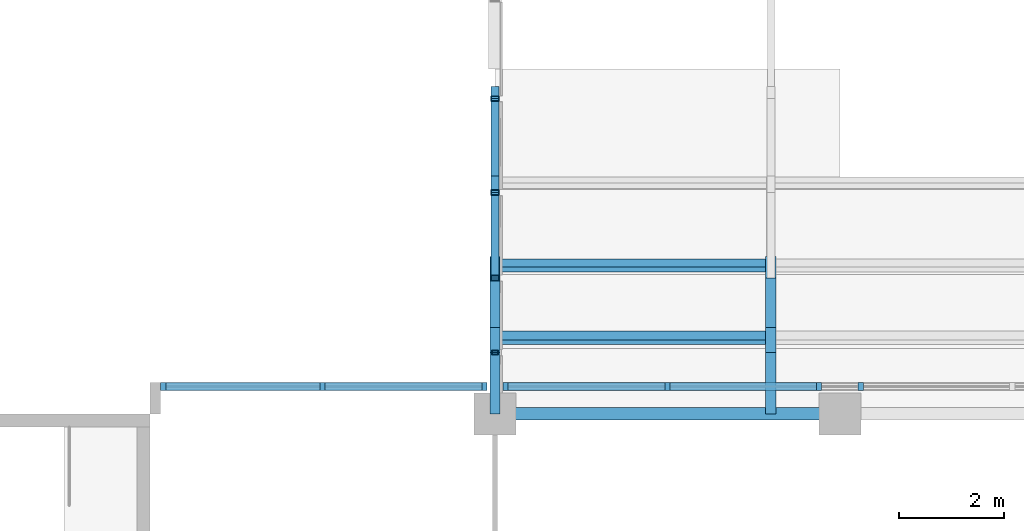
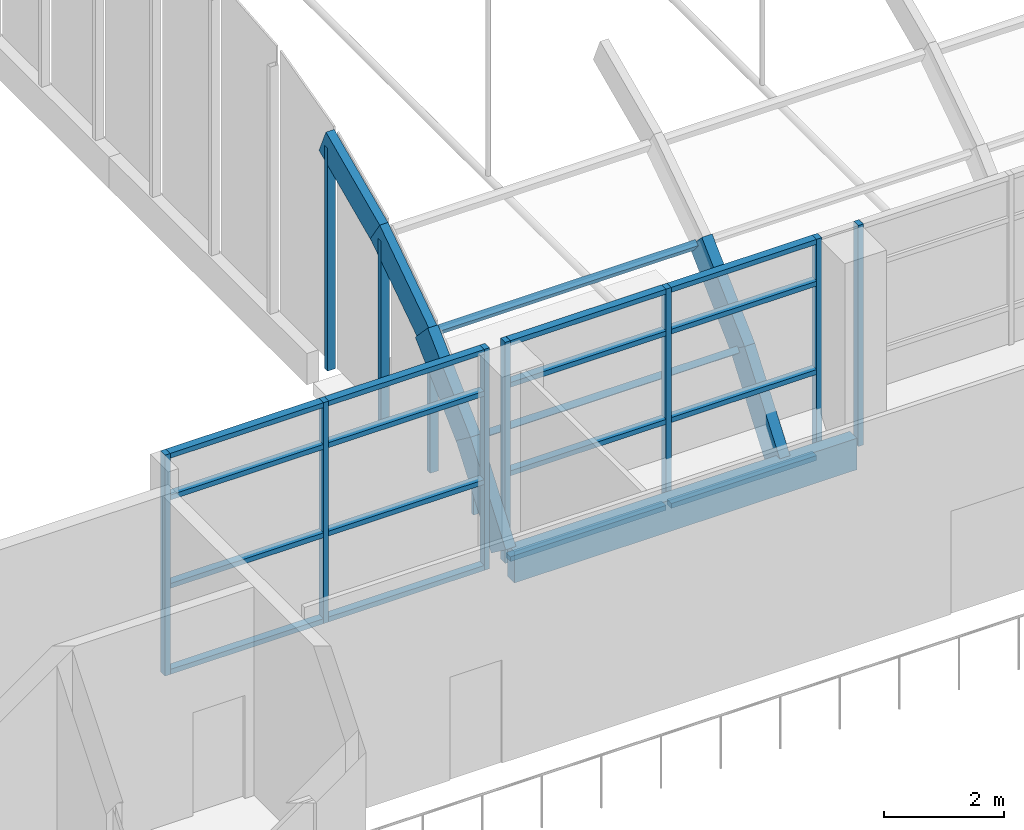
# One storey, part 16 of 102: 35 members, 1 beam, 2 elements without a shape of their own.
"""IFC4 building model written with IfcOpenShell, lengths in metres."""

from ifc_helpers import new_model, si_unit, direction, frame, origin, origin_2d, place, context, subcontext, project, spatial, rectangle, hollow_rectangle, extrude, material, material_profile, profile_set, type_object, element, aggregate, save


model = new_model("IFC4")

# Units and contexts
model_context = context("Model", 3, precision=1e-05, world=origin(), true_north=direction((0.0, 1.0)))
body_context = subcontext(model_context, "Body", "Model", "MODEL_VIEW")
ifc_project = project(units=[si_unit("LENGTHUNIT", "METRE"), si_unit("AREAUNIT", "SQUARE_METRE"), si_unit("VOLUMEUNIT", "CUBIC_METRE"), si_unit("PLANEANGLEUNIT", "RADIAN"), si_unit("MASSUNIT", "GRAM", prefix="KILO")], contexts=[model_context])

# Site, building, storey
site_placement = place(None, origin())
site = spatial("IfcSite", under=ifc_project, at=site_placement, CompositionType="ELEMENT")
building_placement = place(site_placement, origin())
building = spatial("IfcBuilding", under=site, at=building_placement, Name="Lantern Court Research Institute", CompositionType="ELEMENT")
storey_placement = place(building_placement, frame((0.0, 0.0, 9.89990234375)))
storey = spatial("IfcBuildingStorey", under=building, at=storey_placement, Name="L02", CompositionType="ELEMENT", Elevation=9.89990234375)

# Members
ifc_material_1 = material(Name="Structural steel S355", Category="steel")
ifc_material_profile_1 = material_profile(ifc_material_1, hollow_rectangle(XDim=0.1201171875, YDim=0.080078125, WallThickness=0.0048828125, at=origin_2d()), Name="Gable post RHS 120 x 80 x 5")
ifc_profile_set_1 = profile_set([ifc_material_profile_1], Name="Structural steel S355")
member_type_1 = type_object("IfcMemberType", Name="Gable post RHS 120 x 80 x 5", PredefinedType="POST", material=ifc_profile_set_1)
member_1_placement = place(storey_placement, frame((52.800048828125, 57.27734375, 0.64013671875), z_axis=(0.0, 0.0, 1.0), x_axis=(1.0, 0.0, 0.0)))
element("IfcMember", 1, at=member_1_placement, inside=storey, type_object=member_type_1, Name="Gable post", PredefinedType="POST", context=body_context, shape_type="SweptSolid", body=[
    extrude(hollow_rectangle(XDim=0.1201171875, YDim=0.080078125, WallThickness=0.0048828125, at=origin_2d()), origin(), (0.0, 0.0, 1.0), 1.277587890625),
])
ifc_material_2 = material(Name="Structural steel S355", Category="steel")
ifc_material_profile_2 = material_profile(ifc_material_2, hollow_rectangle(XDim=0.159912109375, YDim=0.10009765625, WallThickness=0.00634765625, at=origin_2d()), Name="Gable post RHS 160 x 100 x 6.3")
ifc_profile_set_2 = profile_set([ifc_material_profile_2], Name="Structural steel S355")
member_type_2 = type_object("IfcMemberType", Name="Gable post RHS 160 x 100 x 6.3", PredefinedType="POST", material=ifc_profile_set_2)
member_2_placement = place(storey_placement, frame((52.800048828125, 58.703369140625, 0.64013671875), z_axis=(0.0, 0.0, 1.0), x_axis=(1.0, 0.0, 0.0)))
element("IfcMember", 2, at=member_2_placement, inside=storey, type_object=member_type_2, Name="Gable post", PredefinedType="POST", context=body_context, shape_type="SweptSolid", body=[
    extrude(hollow_rectangle(XDim=0.159912109375, YDim=0.10009765625, WallThickness=0.00634765625, at=origin_2d()), origin(), (0.0, 0.0, 1.0), 2.634765625),
])
member_3_placement = place(storey_placement, frame((52.800048828125, 60.33740234375, 0.64013671875), z_axis=(0.0, 0.0, 1.0), x_axis=(1.0, 0.0, 0.0)))
element("IfcMember", 3, at=member_3_placement, inside=storey, type_object=member_type_2, Name="Gable post", PredefinedType="POST", context=body_context, shape_type="SweptSolid", body=[
    extrude(hollow_rectangle(XDim=0.159912109375, YDim=0.10009765625, WallThickness=0.00634765625, at=origin_2d()), origin(), (0.0, 0.0, 1.0), 3.732666015625),
])
member_4_placement = place(storey_placement, frame((52.800048828125, 62.1328125, 0.64013671875), z_axis=(0.0, 0.0, 1.0), x_axis=(1.0, 0.0, 0.0)))
element("IfcMember", 4, at=member_4_placement, inside=storey, type_object=member_type_2, Name="Gable post", PredefinedType="POST", context=body_context, shape_type="SweptSolid", body=[
    extrude(hollow_rectangle(XDim=0.159912109375, YDim=0.10009765625, WallThickness=0.00634765625, at=origin_2d()), origin(), (0.0, 0.0, 1.0), 4.5400390625),
])
ifc_material_3 = material(Name="Glued laminated timber GL28h", Category="wood")
ifc_material_profile_3 = material_profile(ifc_material_3, rectangle(XDim=0.159912109375, YDim=0.56005859375, at=origin_2d()), Name="Glulam haunch rib 160 x 560")
ifc_profile_set_3 = profile_set([ifc_material_profile_3], Name="Glued laminated timber GL28h")
member_type_3 = type_object("IfcMemberType", Name="Glulam haunch rib 160 x 560", PredefinedType="RAFTER", material=ifc_profile_set_3)
for number, where, z_axis, x_axis, name in (
    (5, (52.800048828125, 58.859619140625, 3.342529296875), (0.0, 0.830041526637, 0.557701590511), (-1.0, 0.0, 0.0), "Glulam rib"),
    (6, (52.800048828125, 60.4521484375, 4.41748046875), (0.0, 0.91202821745, 0.410127456501), (-1.0, 0.0, 0.0), "Glulam rib"),
):
    element("IfcMember", number, at=place(storey_placement, frame(where, z_axis=z_axis, x_axis=x_axis)), inside=storey, type_object=member_type_3, Name=name, PredefinedType="RAFTER", context=body_context, shape_type="SweptSolid", body=[
        extrude(rectangle(XDim=0.159912109375, YDim=0.56005859375, at=origin_2d()), origin(), (0.0, 0.0, 1.0), 1.968505859375),
    ])
ifc_material_4 = material(Name="Glued laminated timber GL28h", Category="wood")
ifc_material_profile_4 = material_profile(ifc_material_4, rectangle(XDim=0.1201171875, YDim=0.239990234375, at=origin_2d()), Name="Glulam purlin 120 x 240")
ifc_profile_set_4 = profile_set([ifc_material_profile_4], Name="Glued laminated timber GL28h")
member_type_4 = type_object("IfcMemberType", Name="Glulam purlin 120 x 240", PredefinedType="PURLIN", material=ifc_profile_set_4)
for number, where, z_axis, x_axis, name in (
    (7, (52.89990234375, 57.561767578125, 1.965576171875), (1.0, 0.0, 0.0), (0.0, 0.663608478299, 0.748080067593), "Glulam purlin"),
    (8, (52.89990234375, 58.941162109375, 3.278564453125), (1.0, 0.0, 0.0), (0.0, 0.779999482278, 0.625780159199), "Glulam purlin"),
):
    element("IfcMember", number, at=place(storey_placement, frame(where, z_axis=z_axis, x_axis=x_axis)), inside=storey, type_object=member_type_4, Name=name, PredefinedType="PURLIN", context=body_context, shape_type="SweptSolid", body=[
        extrude(rectangle(XDim=0.1201171875, YDim=0.239990234375, at=origin_2d()), origin(), (0.0, 0.0, 1.0), 5.080078125),
    ])

# Beam
ifc_material_5 = material(Name="Glued laminated timber GL28h", Category="wood")
ifc_material_profile_5 = material_profile(ifc_material_5, rectangle(XDim=0.239990234375, YDim=0.639892578125, at=origin_2d()), Name="Glulam ring beam 240 x 640")
ifc_profile_set_5 = profile_set([ifc_material_profile_5], Name="Glued laminated timber GL28h")
beam_type = type_object("IfcBeamType", Name="Glulam ring beam 240 x 640", PredefinedType="BEAM", material=ifc_profile_set_5)
beam_placement = place(storey_placement, frame((52.800048828125, 56.10009765625, 0.320068359375), z_axis=(1.0, 0.0, 0.0), x_axis=(0.0, 1.0, 0.0)))
element("IfcBeam", 9, at=beam_placement, inside=storey, type_object=beam_type, Name="Glulam ring beam S", PredefinedType="BEAM", context=body_context, shape_type="SweptSolid", body=[
    extrude(rectangle(XDim=0.239990234375, YDim=0.639892578125, at=origin_2d()), origin(), (0.0, 0.0, 1.0), 6.599853515625),
])

# Members
ifc_material_6 = material(Name="Glued laminated timber GL28h", Category="wood")
ifc_material_profile_6 = material_profile(ifc_material_6, rectangle(XDim=0.199951171875, YDim=0.60009765625, at=origin_2d()), Name="Glulam springing rib 200 x 600")
ifc_profile_set_6 = profile_set([ifc_material_profile_6], Name="Glued laminated timber GL28h")
member_type_5 = type_object("IfcMemberType", Name="Glulam springing rib 200 x 600", PredefinedType="RAFTER", material=ifc_profile_set_6)
for number, where, z_axis, x_axis, name in (
    (10, (52.800048828125, 56.34033203125, 0.460693359375), (0.0, 0.598133156131, 0.801396735417), (-1.0, 0.0, 0.0), "Glulam rib"),
    (11, (52.800048828125, 57.484130859375, 2.00048828125), (0.0, 0.72437677669, 0.689404297486), (-1.0, 0.0, 0.0), "Glulam rib"),
    (12, (58.080078125, 56.34033203125, 0.460693359375), (0.0, 0.598133156131, 0.801396735417), (-1.0, 0.0, 0.0), "Glulam rib"),
    (13, (58.080078125, 57.484130859375, 2.00048828125), (0.0, 0.72437677669, 0.689404297486), (-1.0, 0.0, 0.0), "Glulam rib"),
):
    element("IfcMember", number, at=place(storey_placement, frame(where, z_axis=z_axis, x_axis=x_axis)), inside=storey, type_object=member_type_5, Name=name, PredefinedType="RAFTER", context=body_context, shape_type="SweptSolid", body=[
        extrude(rectangle(XDim=0.199951171875, YDim=0.60009765625, at=origin_2d()), origin(), (0.0, 0.0, 1.0), 1.968505859375),
    ])

# Curtain wall, members
ifc_material_7 = material(Name="Aluminium alloy 6063-T6", Category="aluminium")
curtain_wall_type_1 = type_object("IfcCurtainWallType", Name="Curtain wall 6250 x 4500 x 150 aluminium frame", PredefinedType="NOTDEFINED", material=ifc_material_7)
curtain_wall_1_placement = place(storey_placement, origin())
curtain_wall_1 = element("IfcCurtainWall", 14, at=curtain_wall_1_placement, inside=storey, type_object=curtain_wall_type_1, Name="Curtain wall CW035", PredefinedType="NOTDEFINED")
ifc_material_8 = material(Name="Aluminium alloy 6063-T6", Category="aluminium")
ifc_material_profile_7 = material_profile(ifc_material_8, rectangle(XDim=0.14990234375, YDim=0.10009765625, at=origin_2d()), Name="Mullion 150 x 100")
ifc_profile_set_7 = profile_set([ifc_material_profile_7], Name="Aluminium alloy 6063-T6")
member_type_6 = type_object("IfcMemberType", Name="Mullion 150 x 100 aluminium", PredefinedType="MULLION", material=ifc_profile_set_7)
member_5_placement = place(storey_placement, frame((46.449951171875, 56.625, 0.0), z_axis=(0.0, 0.0, 1.0), x_axis=(0.0, 1.0, 0.0)))
member_5 = element("IfcMember", 15, at=member_5_placement, type_object=member_type_6, Name="CW035 mullion 1", PredefinedType="MULLION", context=body_context, shape_type="SweptSolid", body=[
    extrude(rectangle(XDim=0.14990234375, YDim=0.10009765625, at=origin_2d()), origin(), (0.0, 0.0, 1.0), 4.5),
])
member_6_placement = place(storey_placement, frame((49.5, 56.625, 0.0), z_axis=(0.0, 0.0, 1.0), x_axis=(0.0, 1.0, 0.0)))
member_6 = element("IfcMember", 16, at=member_6_placement, type_object=member_type_6, Name="CW035 mullion 2", PredefinedType="MULLION", context=body_context, shape_type="SweptSolid", body=[
    extrude(rectangle(XDim=0.14990234375, YDim=0.10009765625, at=origin_2d()), origin(), (0.0, 0.0, 1.0), 4.5),
])
member_7_placement = place(storey_placement, frame((52.60009765625, 56.625, 0.0), z_axis=(0.0, 0.0, 1.0), x_axis=(0.0, 1.0, 0.0)))
member_7 = element("IfcMember", 17, at=member_7_placement, type_object=member_type_6, Name="CW035 mullion 3", PredefinedType="MULLION", context=body_context, shape_type="SweptSolid", body=[
    extrude(rectangle(XDim=0.14990234375, YDim=0.10009765625, at=origin_2d()), origin(), (0.0, 0.0, 1.0), 4.5),
])

ifc_material_9 = material(Name="Aluminium alloy 6063-T6", Category="aluminium")
curtain_wall_type_2 = type_object("IfcCurtainWallType", Name="Curtain wall 19450 x 4500 x 150 aluminium frame", PredefinedType="NOTDEFINED", material=ifc_material_9)
curtain_wall_2_placement = place(storey_placement, origin())
curtain_wall_2 = element("IfcCurtainWall", 18, at=curtain_wall_2_placement, inside=storey, type_object=curtain_wall_type_2, Name="Curtain wall CW036", PredefinedType="NOTDEFINED")
member_8_placement = place(storey_placement, frame((53.0, 56.625, 0.0), z_axis=(0.0, 0.0, 1.0), x_axis=(0.0, 1.0, 0.0)))
member_8 = element("IfcMember", 19, at=member_8_placement, type_object=member_type_6, Name="CW036 mullion 1", PredefinedType="MULLION", context=body_context, shape_type="SweptSolid", body=[
    extrude(rectangle(XDim=0.14990234375, YDim=0.10009765625, at=origin_2d()), origin(), (0.0, 0.0, 1.0), 4.5),
])
member_9_placement = place(storey_placement, frame((56.10009765625, 56.625, 0.0), z_axis=(0.0, 0.0, 1.0), x_axis=(0.0, 1.0, 0.0)))
member_9 = element("IfcMember", 20, at=member_9_placement, type_object=member_type_6, Name="CW036 mullion 2", PredefinedType="MULLION", context=body_context, shape_type="SweptSolid", body=[
    extrude(rectangle(XDim=0.14990234375, YDim=0.10009765625, at=origin_2d()), origin(), (0.0, 0.0, 1.0), 4.5),
])
member_10_placement = place(storey_placement, frame((59.0, 56.625, 0.0), z_axis=(0.0, 0.0, 1.0), x_axis=(0.0, 1.0, 0.0)))
member_10 = element("IfcMember", 21, at=member_10_placement, type_object=member_type_6, Name="CW036 mullion 3", PredefinedType="MULLION", context=body_context, shape_type="SweptSolid", body=[
    extrude(rectangle(XDim=0.14990234375, YDim=0.10009765625, at=origin_2d()), origin(), (0.0, 0.0, 1.0), 4.5),
])
member_11_placement = place(storey_placement, frame((59.800048828125, 56.625, 0.0), z_axis=(0.0, 0.0, 1.0), x_axis=(0.0, 1.0, 0.0)))
member_11 = element("IfcMember", 22, at=member_11_placement, type_object=member_type_6, Name="CW036 mullion 4", PredefinedType="MULLION", context=body_context, shape_type="SweptSolid", body=[
    extrude(rectangle(XDim=0.14990234375, YDim=0.10009765625, at=origin_2d()), origin(), (0.0, 0.0, 1.0), 4.5),
])

# Member
ifc_material_10 = material(Name="Aluminium alloy 6063-T6", Category="aluminium")
ifc_material_profile_8 = material_profile(ifc_material_10, rectangle(XDim=0.14990234375, YDim=0.10009765625, at=origin_2d()), Name="Transom 150 x 100")
ifc_profile_set_8 = profile_set([ifc_material_profile_8], Name="Aluminium alloy 6063-T6")
member_type_7 = type_object("IfcMemberType", Name="Transom 150 x 100 aluminium", PredefinedType="USERDEFINED", material=ifc_profile_set_8)
member_12_placement = place(storey_placement, frame((46.5, 56.625, 0.050048828125), z_axis=(1.0, 0.0, 0.0), x_axis=(0.0, 1.0, 0.0)))
member_12 = element("IfcMember", 23, at=member_12_placement, type_object=member_type_7, Name="CW035 transom 1.1", ObjectType="TRANSOM", PredefinedType="USERDEFINED", context=body_context, shape_type="SweptSolid", body=[
    extrude(rectangle(XDim=0.14990234375, YDim=0.10009765625, at=origin_2d()), origin(), (0.0, 0.0, 1.0), 2.949951171875),
])

member_13_placement = place(storey_placement, frame((46.5, 56.625, 1.800048828125), z_axis=(1.0, 0.0, 0.0), x_axis=(0.0, 1.0, 0.0)))
member_13 = element("IfcMember", 24, at=member_13_placement, type_object=member_type_7, Name="CW035 transom 1.2", ObjectType="TRANSOM", PredefinedType="USERDEFINED", context=body_context, shape_type="SweptSolid", body=[
    extrude(rectangle(XDim=0.14990234375, YDim=0.10009765625, at=origin_2d()), origin(), (0.0, 0.0, 1.0), 2.949951171875),
])

member_14_placement = place(storey_placement, frame((46.5, 56.625, 3.60009765625), z_axis=(1.0, 0.0, 0.0), x_axis=(0.0, 1.0, 0.0)))
member_14 = element("IfcMember", 25, at=member_14_placement, type_object=member_type_7, Name="CW035 transom 1.3", ObjectType="TRANSOM", PredefinedType="USERDEFINED", context=body_context, shape_type="SweptSolid", body=[
    extrude(rectangle(XDim=0.14990234375, YDim=0.10009765625, at=origin_2d()), origin(), (0.0, 0.0, 1.0), 2.949951171875),
])

member_15_placement = place(storey_placement, frame((46.5, 56.625, 4.4501953125), z_axis=(1.0, 0.0, 0.0), x_axis=(0.0, 1.0, 0.0)))
member_15 = element("IfcMember", 26, at=member_15_placement, type_object=member_type_7, Name="CW035 transom 1.4", ObjectType="TRANSOM", PredefinedType="USERDEFINED", context=body_context, shape_type="SweptSolid", body=[
    extrude(rectangle(XDim=0.14990234375, YDim=0.10009765625, at=origin_2d()), origin(), (0.0, 0.0, 1.0), 2.949951171875),
])

member_16_placement = place(storey_placement, frame((49.550048828125, 56.625, 0.050048828125), z_axis=(1.0, 0.0, 0.0), x_axis=(0.0, 1.0, 0.0)))
member_16 = element("IfcMember", 27, at=member_16_placement, type_object=member_type_7, Name="CW035 transom 2.1", ObjectType="TRANSOM", PredefinedType="USERDEFINED", context=body_context, shape_type="SweptSolid", body=[
    extrude(rectangle(XDim=0.14990234375, YDim=0.10009765625, at=origin_2d()), origin(), (0.0, 0.0, 1.0), 3.0),
])

member_17_placement = place(storey_placement, frame((49.550048828125, 56.625, 1.800048828125), z_axis=(1.0, 0.0, 0.0), x_axis=(0.0, 1.0, 0.0)))
member_17 = element("IfcMember", 28, at=member_17_placement, type_object=member_type_7, Name="CW035 transom 2.2", ObjectType="TRANSOM", PredefinedType="USERDEFINED", context=body_context, shape_type="SweptSolid", body=[
    extrude(rectangle(XDim=0.14990234375, YDim=0.10009765625, at=origin_2d()), origin(), (0.0, 0.0, 1.0), 3.0),
])

member_18_placement = place(storey_placement, frame((49.550048828125, 56.625, 3.60009765625), z_axis=(1.0, 0.0, 0.0), x_axis=(0.0, 1.0, 0.0)))
member_18 = element("IfcMember", 29, at=member_18_placement, type_object=member_type_7, Name="CW035 transom 2.3", ObjectType="TRANSOM", PredefinedType="USERDEFINED", context=body_context, shape_type="SweptSolid", body=[
    extrude(rectangle(XDim=0.14990234375, YDim=0.10009765625, at=origin_2d()), origin(), (0.0, 0.0, 1.0), 3.0),
])

member_19_placement = place(storey_placement, frame((49.550048828125, 56.625, 4.4501953125), z_axis=(1.0, 0.0, 0.0), x_axis=(0.0, 1.0, 0.0)))
member_19 = element("IfcMember", 30, at=member_19_placement, type_object=member_type_7, Name="CW035 transom 2.4", ObjectType="TRANSOM", PredefinedType="USERDEFINED", context=body_context, shape_type="SweptSolid", body=[
    extrude(rectangle(XDim=0.14990234375, YDim=0.10009765625, at=origin_2d()), origin(), (0.0, 0.0, 1.0), 3.0),
])

aggregate(curtain_wall_1, [member_5, member_6, member_7, member_12, member_13, member_14, member_15, member_16, member_17, member_18, member_19])

member_20_placement = place(storey_placement, frame((53.050048828125, 56.625, 0.050048828125), z_axis=(1.0, 0.0, 0.0), x_axis=(0.0, 1.0, 0.0)))
member_20 = element("IfcMember", 31, at=member_20_placement, type_object=member_type_7, Name="CW036 transom 1.1", ObjectType="TRANSOM", PredefinedType="USERDEFINED", context=body_context, shape_type="SweptSolid", body=[
    extrude(rectangle(XDim=0.14990234375, YDim=0.10009765625, at=origin_2d()), origin(), (0.0, 0.0, 1.0), 3.0),
])

member_21_placement = place(storey_placement, frame((53.050048828125, 56.625, 1.800048828125), z_axis=(1.0, 0.0, 0.0), x_axis=(0.0, 1.0, 0.0)))
member_21 = element("IfcMember", 32, at=member_21_placement, type_object=member_type_7, Name="CW036 transom 1.2", ObjectType="TRANSOM", PredefinedType="USERDEFINED", context=body_context, shape_type="SweptSolid", body=[
    extrude(rectangle(XDim=0.14990234375, YDim=0.10009765625, at=origin_2d()), origin(), (0.0, 0.0, 1.0), 3.0),
])

member_22_placement = place(storey_placement, frame((53.050048828125, 56.625, 3.60009765625), z_axis=(1.0, 0.0, 0.0), x_axis=(0.0, 1.0, 0.0)))
member_22 = element("IfcMember", 33, at=member_22_placement, type_object=member_type_7, Name="CW036 transom 1.3", ObjectType="TRANSOM", PredefinedType="USERDEFINED", context=body_context, shape_type="SweptSolid", body=[
    extrude(rectangle(XDim=0.14990234375, YDim=0.10009765625, at=origin_2d()), origin(), (0.0, 0.0, 1.0), 3.0),
])

member_23_placement = place(storey_placement, frame((53.050048828125, 56.625, 4.4501953125), z_axis=(1.0, 0.0, 0.0), x_axis=(0.0, 1.0, 0.0)))
member_23 = element("IfcMember", 34, at=member_23_placement, type_object=member_type_7, Name="CW036 transom 1.4", ObjectType="TRANSOM", PredefinedType="USERDEFINED", context=body_context, shape_type="SweptSolid", body=[
    extrude(rectangle(XDim=0.14990234375, YDim=0.10009765625, at=origin_2d()), origin(), (0.0, 0.0, 1.0), 3.0),
])

member_24_placement = place(storey_placement, frame((56.14990234375, 56.625, 0.050048828125), z_axis=(1.0, 0.0, 0.0), x_axis=(0.0, 1.0, 0.0)))
member_24 = element("IfcMember", 35, at=member_24_placement, type_object=member_type_7, Name="CW036 transom 2.1", ObjectType="TRANSOM", PredefinedType="USERDEFINED", context=body_context, shape_type="SweptSolid", body=[
    extrude(rectangle(XDim=0.14990234375, YDim=0.10009765625, at=origin_2d()), origin(), (0.0, 0.0, 1.0), 2.800048828125),
])

member_25_placement = place(storey_placement, frame((56.14990234375, 56.625, 1.800048828125), z_axis=(1.0, 0.0, 0.0), x_axis=(0.0, 1.0, 0.0)))
member_25 = element("IfcMember", 36, at=member_25_placement, type_object=member_type_7, Name="CW036 transom 2.2", ObjectType="TRANSOM", PredefinedType="USERDEFINED", context=body_context, shape_type="SweptSolid", body=[
    extrude(rectangle(XDim=0.14990234375, YDim=0.10009765625, at=origin_2d()), origin(), (0.0, 0.0, 1.0), 2.800048828125),
])

member_26_placement = place(storey_placement, frame((56.14990234375, 56.625, 3.60009765625), z_axis=(1.0, 0.0, 0.0), x_axis=(0.0, 1.0, 0.0)))
member_26 = element("IfcMember", 37, at=member_26_placement, type_object=member_type_7, Name="CW036 transom 2.3", ObjectType="TRANSOM", PredefinedType="USERDEFINED", context=body_context, shape_type="SweptSolid", body=[
    extrude(rectangle(XDim=0.14990234375, YDim=0.10009765625, at=origin_2d()), origin(), (0.0, 0.0, 1.0), 2.800048828125),
])

member_27_placement = place(storey_placement, frame((56.14990234375, 56.625, 4.4501953125), z_axis=(1.0, 0.0, 0.0), x_axis=(0.0, 1.0, 0.0)))
member_27 = element("IfcMember", 38, at=member_27_placement, type_object=member_type_7, Name="CW036 transom 2.4", ObjectType="TRANSOM", PredefinedType="USERDEFINED", context=body_context, shape_type="SweptSolid", body=[
    extrude(rectangle(XDim=0.14990234375, YDim=0.10009765625, at=origin_2d()), origin(), (0.0, 0.0, 1.0), 2.800048828125),
])

aggregate(curtain_wall_2, [member_8, member_9, member_10, member_11, member_20, member_21, member_22, member_23, member_24, member_25, member_26, member_27])

save(model, "model.ifc")
